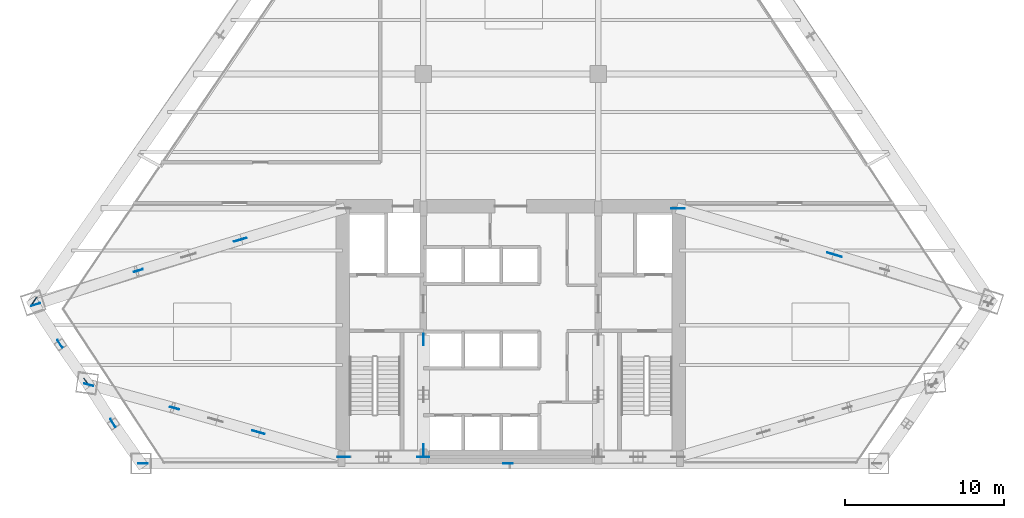
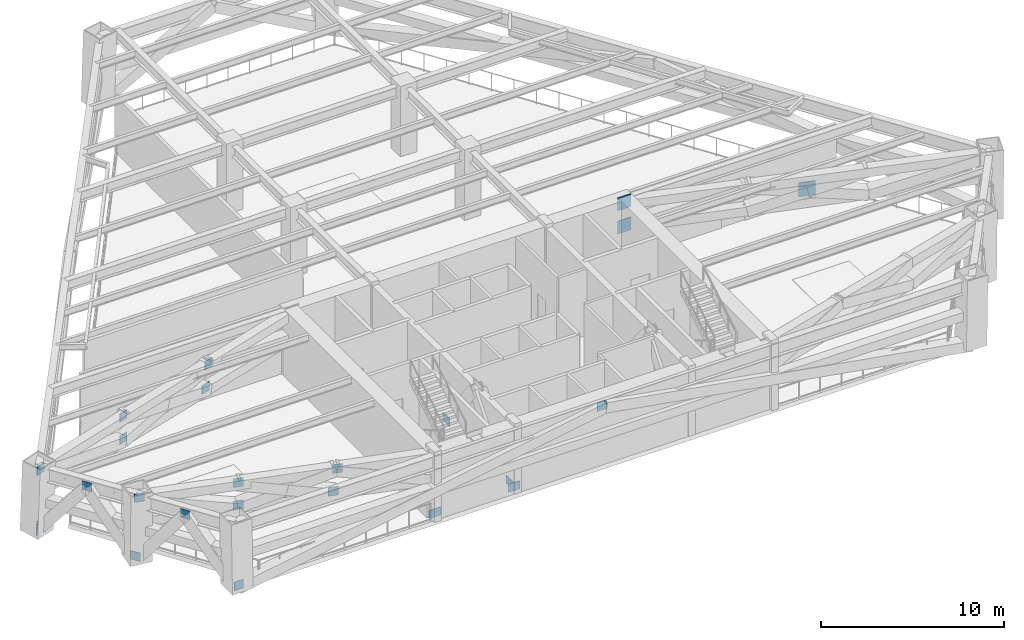
# One storey, part 4 of 10: 23 plates.
"""IFC4 building model written with IfcOpenShell, lengths in metres."""

from ifc_helpers import new_model, si_unit, direction, frame, origin, origin_2d, place, context, subcontext, project, spatial, rectangle, extrude, source, transform, mapped, material, layer, layer_set, type_object, type_shapes, element, save


model = new_model("IFC4")

# Units and contexts
model_context = context("Model", 3, precision=1e-05, world=origin(), true_north=direction((0.0, 1.0)))
body_context = subcontext(model_context, "Body", "Model", "MODEL_VIEW")
ifc_project = project(units=[si_unit("LENGTHUNIT", "METRE"), si_unit("AREAUNIT", "SQUARE_METRE"), si_unit("VOLUMEUNIT", "CUBIC_METRE"), si_unit("PLANEANGLEUNIT", "RADIAN"), si_unit("MASSUNIT", "GRAM", prefix="KILO")], contexts=[model_context])

# Site, building, storey
site_placement = place(None, origin())
site = spatial("IfcSite", under=ifc_project, at=site_placement, CompositionType="ELEMENT")
building_placement = place(site_placement, origin())
building = spatial("IfcBuilding", under=site, at=building_placement, Name="Varnakhor Terracotta Tower", CompositionType="ELEMENT")
storey_placement = place(building_placement, frame((0.0, 0.0, 71.89990234375)))
storey = spatial("IfcBuildingStorey", under=building, at=storey_placement, Name="L17", CompositionType="ELEMENT", Elevation=71.89990234375)

# Plates
ifc_material = material(Name="Steel S460", Category="steel")
ifc_layer_1 = layer(ifc_material, 0.050048828125, Name="Steel S460")
ifc_layer_set_1 = layer_set([ifc_layer_1], Name="Steel S460")
plate_type_1 = type_object("IfcPlateType", Name="PLT-GUSSET-50", PredefinedType="USERDEFINED", material=ifc_layer_set_1)
shared_shape_1 = source(origin(), body_context, "Body", "SweptSolid", [
    extrude(rectangle(XDim=0.75, YDim=0.0400390625, at=origin_2d()), origin(), (0.0, 0.0, 1.0), 0.550048828125),
])
type_shapes(plate_type_1, [shared_shape_1])
for number, where, z_axis, x_axis, name in (
    (1, (-10.5, 0.419921875, -0.0947265625), (0.0, 0.0, 1.0), (1.0, 0.0, 0.0), "L17 Core Brace Embed Plate CSWA"),
    (2, (-5.5, 0.419921875, -0.0947265625), (0.0, 0.0, 1.0), (1.0, 0.0, 0.0), "L17 Core Brace Embed Plate CSWB"),
    (3, (-5.5, 0.85009765625, -0.0947265625), (0.0, 0.0, 1.0), (0.0, 1.0, 0.0), "L17 Core Brace Embed Plate CWWA"),
    (4, (-5.5, 7.800048828125, -0.0947265625), (0.0, 0.0, 1.0), (0.0, 1.0, 0.0), "L17 Core Brace Embed Plate CWWB"),
):
    element("IfcPlate", number, at=place(storey_placement, frame(where, z_axis=z_axis, x_axis=x_axis)), inside=storey, type_object=plate_type_1, Name=name, ObjectType="GUSSET PLATE", PredefinedType="USERDEFINED", context=body_context, shape_type="MappedRepresentation", body=[
        mapped(shared_shape_1, transform((0.0, 0.0, 0.0), scale=1.0)),
    ])
shared_shape_2 = source(origin(), body_context, "Body", "SweptSolid", [
    extrude(rectangle(XDim=0.85009765625, YDim=0.044921875, at=origin_2d()), origin(), (0.0, 0.0, 1.0), 0.85009765625),
])
for number, where, z_axis, x_axis, name in (
    (5, (10.5, 16.050048828125, 2.125), (0.0, 0.0, 1.0), (1.0, 0.0, 0.0), "L17 Outrigger Core Embed Plate OE2-BOT"),
    (6, (10.5, 16.050048828125, 3.675048828125), (0.0, 0.0, 1.0), (1.0, 0.0, 0.0), "L17 Outrigger Core Embed Plate OE2-TOP"),
):
    element("IfcPlate", number, at=place(storey_placement, frame(where, z_axis=z_axis, x_axis=x_axis)), inside=storey, type_object=plate_type_1, Name=name, ObjectType="GUSSET PLATE", PredefinedType="USERDEFINED", context=body_context, shape_type="MappedRepresentation", body=[
        mapped(shared_shape_2, transform((0.0, 0.0, 0.0), scale=1.0)),
    ])
ifc_layer_2 = layer(ifc_material, 0.044921875, Name="Steel S460")
ifc_layer_set_2 = layer_set([ifc_layer_2], Name="Steel S460")
plate_type_2 = type_object("IfcPlateType", Name="PLT-GUSSET-45", PredefinedType="USERDEFINED", material=ifc_layer_set_2)
shared_shape_3 = source(origin(), body_context, "Body", "SweptSolid", [
    extrude(rectangle(XDim=0.949951171875, YDim=0.044921875, at=origin_2d()), origin(), (0.0, 0.0, 1.0), 0.949951171875),
])
type_shapes(plate_type_2, [shared_shape_3])
plate_placement = place(storey_placement, frame((20.350341796875, 13.130126953125, 2.85009765625), z_axis=(0.0, 0.0, 1.0), x_axis=(0.958765190166, -0.284199419643, 0.0)))
element("IfcPlate", 7, at=plate_placement, inside=storey, type_object=plate_type_2, Name="L17 Outrigger X-Crossing Gusset Plate OE2", ObjectType="GUSSET PLATE", PredefinedType="USERDEFINED", context=body_context, shape_type="MappedRepresentation", body=[
    mapped(shared_shape_3, transform((0.0, 0.0, 0.0), scale=1.0)),
])
shared_shape_4 = source(origin(), body_context, "Body", "SweptSolid", [
    extrude(rectangle(XDim=0.580078125, YDim=0.0400390625, at=origin_2d()), origin(), (0.0, 0.0, 1.0), 0.580078125),
])
for number, where, z_axis, x_axis, name in (
    (8, (-23.1298828125, 0.0, -0.26953125), (0.0, 0.0, 1.0), (1.0, 0.0, 0.0), "L17 Brace End Connection Plate 52"),
    (9, (-0.1806640625, 0.0, 3.67626953125), (0.0, 0.0, 1.0), (1.0, 0.0, 0.0), "L17 Brace End Connection Plate 53"),
    (10, (-29.982421875, 10.223876953125, -0.26708984375), (0.0, 0.0, 1.0), (0.574033847678, 0.818831571033, 0.0), "L17 Brace End Connection Plate 64"),
    (11, (-28.368896484375, 7.536865234375, 3.6025390625), (0.0, 0.0, 1.0), (0.544375532013, -0.838841629955, 0.0), "L17 Brace End Connection Plate 65"),
    (12, (-26.689697265625, 5.1220703125, -0.193359375), (0.0, 0.0, 1.0), (-0.571544517054, 0.820571060314, 0.0), "L17 Brace End Connection Plate 66"),
    (13, (-25.03173828125, 2.552734375, 3.601318359375), (0.0, 0.0, 1.0), (0.541532150545, -0.840680040161, 0.0), "L17 Brace End Connection Plate 67"),
    (14, (-15.77197265625, 1.935791015625, 3.778076171875), (0.0, 0.0, 1.0), (-0.961054561734, 0.276358696932, 0.0), "L17 Brace End Connection Plate 68"),
    (15, (-21.15478515625, 3.483642578125, 2.2919921875), (0.0, 0.0, 1.0), (-0.961059384957, 0.276341923324, 0.0), "L17 Brace End Connection Plate 69"),
    (16, (-15.994140625, 2.0, 2.2919921875), (0.0, 0.0, 1.0), (-0.961064207887, 0.276325149631, 0.0), "L17 Brace End Connection Plate 70"),
    (17, (-21.155029296875, 3.483642578125, 3.778076171875), (0.0, 0.0, 1.0), (-0.961059384957, 0.276341923324, 0.0), "L17 Brace End Connection Plate 71"),
    (18, (-26.548583984375, 4.952392578125, 3.778076171875), (0.0, 0.0, 1.0), (-0.964943239815, 0.262458651857, 0.0), "L17 Brace End Connection Plate 72"),
    (19, (-16.904541015625, 14.109619140625, 3.783447265625), (0.0, 0.0, 1.0), (-0.957046666345, -0.289933920813, 0.0), "L17 Brace End Connection Plate 73"),
    (20, (-23.42138671875, 12.135498046875, 2.28662109375), (0.0, 0.0, 1.0), (-0.957041605898, -0.289950624384, 0.0), "L17 Brace End Connection Plate 74"),
    (21, (-17.128662109375, 14.0419921875, 2.28662109375), (0.0, 0.0, 1.0), (-0.957041605898, -0.289950624384, 0.0), "L17 Brace End Connection Plate 75"),
    (22, (-23.42138671875, 12.135498046875, 3.783447265625), (0.0, 0.0, 1.0), (-0.957046666345, -0.289933920813, 0.0), "L17 Brace End Connection Plate 76"),
    (23, (-29.885009765625, 10.00244140625, 3.783447265625), (0.0, 0.0, 1.0), (-0.949502172129, -0.313760458188, 0.0), "L17 Brace End Connection Plate 77"),
):
    element("IfcPlate", number, at=place(storey_placement, frame(where, z_axis=z_axis, x_axis=x_axis)), inside=storey, type_object=plate_type_2, Name=name, ObjectType="GUSSET PLATE", PredefinedType="USERDEFINED", context=body_context, shape_type="MappedRepresentation", body=[
        mapped(shared_shape_4, transform((0.0, 0.0, 0.0), scale=1.0)),
    ])

save(model, "model.ifc")
